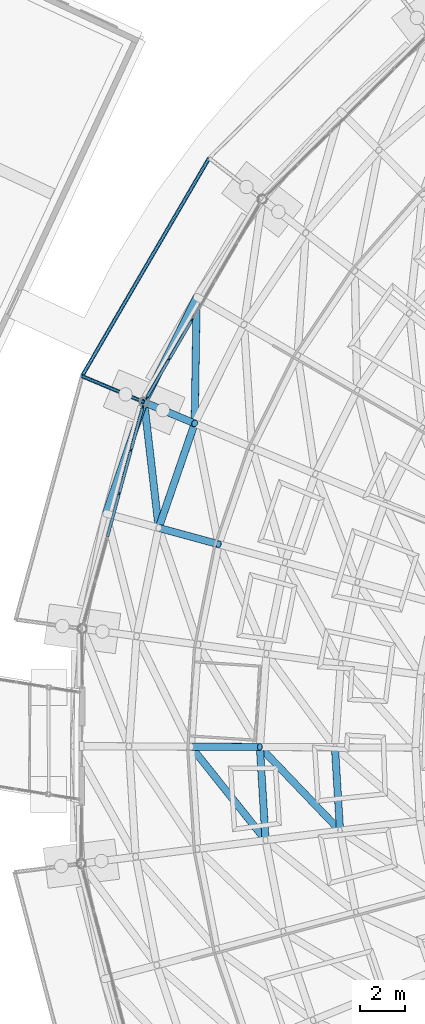
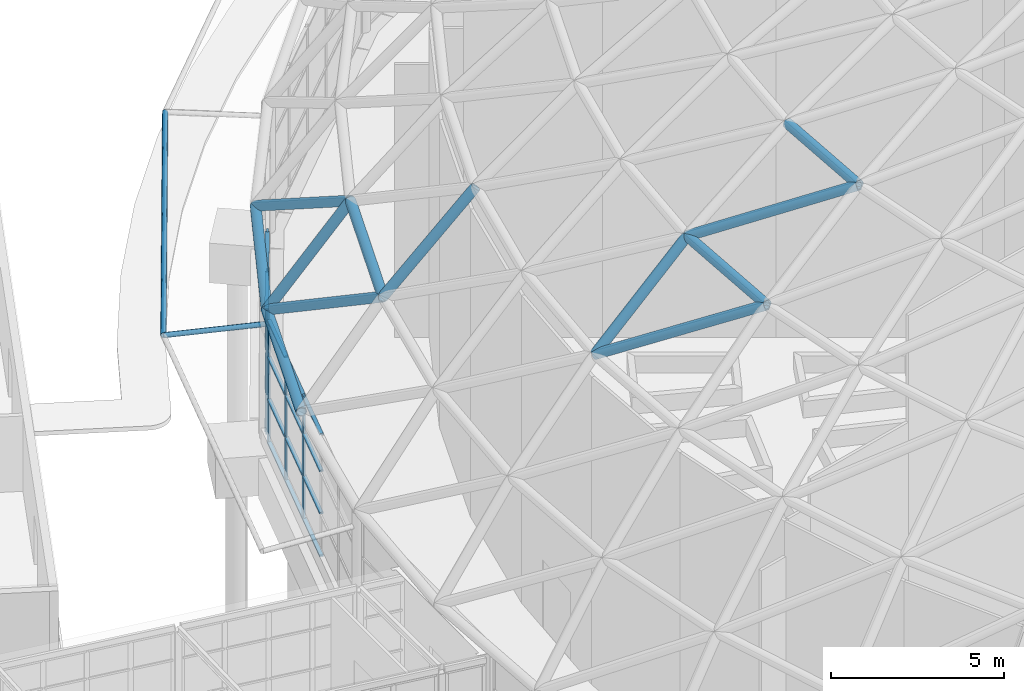
# One storey, part 83 of 226: 40 members, 2 elements without a shape of their own.
"""IFC4 building model written with IfcOpenShell, lengths in metres."""

from ifc_helpers import new_model, si_unit, direction, frame, origin, origin_2d, place, context, subcontext, project, spatial, rectangle, hollow_circle, extrude, material, material_profile, profile_set, type_object, element, aggregate, save


model = new_model("IFC4")

# Units and contexts
model_context = context("Model", 3, precision=1e-05, world=origin(), true_north=direction((0.0, 1.0)))
body_context = subcontext(model_context, "Body", "Model", "MODEL_VIEW")
ifc_project = project(units=[si_unit("LENGTHUNIT", "METRE"), si_unit("AREAUNIT", "SQUARE_METRE"), si_unit("VOLUMEUNIT", "CUBIC_METRE"), si_unit("PLANEANGLEUNIT", "RADIAN"), si_unit("MASSUNIT", "GRAM", prefix="KILO")], contexts=[model_context])

# Site, building, storey
site_placement = place(None, origin())
site = spatial("IfcSite", under=ifc_project, at=site_placement, CompositionType="ELEMENT")
building_placement = place(site_placement, origin())
building = spatial("IfcBuilding", under=site, at=building_placement, Name="Ceibo Conservatory and Research Tower", CompositionType="ELEMENT")
storey_placement = place(building_placement, origin())
storey = spatial("IfcBuildingStorey", under=building, at=storey_placement, Name="L00", CompositionType="ELEMENT", Elevation=0.0)

# Members
ifc_material_1 = material(Name="Steel ASTM A500 Gr C", Category="steel")
ifc_material_profile_1 = material_profile(ifc_material_1, hollow_circle(Radius=0.084228515625, WallThickness=0.007080078125, at=origin_2d()), Name="CHS 168.3x7.11")
ifc_profile_set_1 = profile_set([ifc_material_profile_1], Name="Steel ASTM A500 Gr C")
member_type_1 = type_object("IfcMemberType", Name="CHS 168.3x7.11", PredefinedType="NOTDEFINED", material=ifc_profile_set_1)
member_1_placement = place(storey_placement, frame((119.112060546875, 123.468505859375, 4.0), z_axis=(-0.921245374935, 0.386318215821, -0.045444419748), x_axis=(-0.386717746038, -0.922198126706, 0.0)))
element("IfcMember", 1, at=member_1_placement, inside=storey, type_object=member_type_1, Name="Brim brace bracket A-BK11", PredefinedType="BRACE", context=body_context, shape_type="SweptSolid", body=[
    extrude(hollow_circle(Radius=0.084228515625, WallThickness=0.007080078125, at=origin_2d()), origin(), (0.0, 0.0, 1.0), 3.003173828125),
])
member_2_placement = place(storey_placement, frame((122.000244140625, 134.325439453125, 3.863525390625), z_axis=(-0.503760133123, -0.863843578593, 0.0), x_axis=(0.863843578593, -0.503760133123, 0.0)))
element("IfcMember", 2, at=member_2_placement, inside=storey, type_object=member_type_1, Name="Brim tip ring A-TR14", PredefinedType="CHORD", context=body_context, shape_type="SweptSolid", body=[
    extrude(hollow_circle(Radius=0.084228515625, WallThickness=0.007080078125, at=origin_2d()), origin(), (0.0, 0.0, 1.0), 11.22509765625),
])
ifc_material_profile_2 = material_profile(ifc_material_1, hollow_circle(Radius=0.161865234375, WallThickness=0.01025390625, at=origin_2d()), Name="CHS 323.9x10.31")
ifc_profile_set_2 = profile_set([ifc_material_profile_2], Name="Steel ASTM A500 Gr C")
member_type_2 = type_object("IfcMemberType", Name="CHS 323.9x10.31", PredefinedType="NOTDEFINED", material=ifc_profile_set_2)
member_3_placement = place(storey_placement, frame((121.35791015625, 122.527099609375, 8.115966796875), z_axis=(-0.325587943876, -0.945511761324, 0.0), x_axis=(0.945511761324, -0.325587943876, 0.0)))
element("IfcMember", 3, at=member_3_placement, inside=storey, type_object=member_type_2, Name="Gridshell member A-C02-21", PredefinedType="CHORD", context=body_context, shape_type="SweptSolid", body=[
    extrude(hollow_circle(Radius=0.161865234375, WallThickness=0.01025390625, at=origin_2d()), origin(), (0.0, 0.0, 1.0), 4.913818359375),
])
member_4_placement = place(storey_placement, frame((124.257080078125, 108.138916015625, 14.591064453125), z_axis=(0.061141141216, -0.998129130349, 0.0), x_axis=(0.998129130349, 0.061141141216, 0.0)))
element("IfcMember", 4, at=member_4_placement, inside=storey, type_object=member_type_2, Name="Gridshell member A-C04-24", PredefinedType="CHORD", context=body_context, shape_type="SweptSolid", body=[
    extrude(hollow_circle(Radius=0.161865234375, WallThickness=0.01025390625, at=origin_2d()), origin(), (0.0, 0.0, 1.0), 4.15283203125),
])
ifc_material_profile_3 = material_profile(ifc_material_1, hollow_circle(Radius=0.161865234375, WallThickness=0.01416015625, at=origin_2d()), Name="CHS 323.9x14.27")
ifc_profile_set_3 = profile_set([ifc_material_profile_3], Name="Steel ASTM A500 Gr C")
member_type_3 = type_object("IfcMemberType", Name="CHS 323.9x14.27", PredefinedType="NOTDEFINED", material=ifc_profile_set_3)
member_5_placement = place(storey_placement, frame((119.112060546875, 123.468017578125, 4.5), z_axis=(0.515173818926, -0.215836492895, 0.829464010448), x_axis=(0.386415837187, 0.922324672103, 0.0)))
element("IfcMember", 5, at=member_5_placement, inside=storey, type_object=member_type_3, Name="Gridshell member A-M21-01", PredefinedType="RAFTER", context=body_context, shape_type="SweptSolid", body=[
    extrude(hollow_circle(Radius=0.161865234375, WallThickness=0.01416015625, at=origin_2d()), origin(), (0.0, 0.0, 1.0), 4.359375),
])
member_6_placement = place(storey_placement, frame((119.758056640625, 117.881103515625, 8.115966796875), z_axis=(0.610972486053, -0.166593212939, 0.77392462339), x_axis=(0.263065012858, 0.964778108691, 0.0)))
element("IfcMember", 6, at=member_6_placement, inside=storey, type_object=member_type_3, Name="Gridshell member A-M22-02", PredefinedType="RAFTER", context=body_context, shape_type="SweptSolid", body=[
    extrude(hollow_circle(Radius=0.161865234375, WallThickness=0.01416015625, at=origin_2d()), origin(), (0.0, 0.0, 1.0), 4.3583984375),
])
member_7_placement = place(storey_placement, frame((121.195068359375, 108.152099609375, 11.489013671875), z_axis=(0.702495690598, -0.003024618665, 0.711681569505), x_axis=(0.004305493501, 0.99999073132, 0.0)))
element("IfcMember", 7, at=member_7_placement, inside=storey, type_object=member_type_3, Name="Gridshell member A-M24-03", PredefinedType="RAFTER", context=body_context, shape_type="SweptSolid", body=[
    extrude(hollow_circle(Radius=0.161865234375, WallThickness=0.01416015625, at=origin_2d()), origin(), (0.0, 0.0, 1.0), 4.358642578125),
])
ifc_material_2 = material(Name="Steel S355J2H", Category="steel")
ifc_material_profile_4 = material_profile(ifc_material_2, hollow_circle(Radius=0.161865234375, WallThickness=0.025390625, at=origin_2d()), Name="CHS 323.9x25.40")
ifc_profile_set_4 = profile_set([ifc_material_profile_4], Name="Steel S355J2H")
member_type_4 = type_object("IfcMemberType", Name="CHS 323.9x25.40", PredefinedType="NOTDEFINED", material=ifc_profile_set_4)
member_8_placement = place(storey_placement, frame((121.447021484375, 128.15087890625, 4.5), z_axis=(-0.446224201059, -0.89492120457, 0.0), x_axis=(0.89492120457, -0.446224201059, 0.0)))
element("IfcMember", 8, at=member_8_placement, inside=storey, type_object=member_type_4, Name="Gridshell member A-C01-20", PredefinedType="CHORD", context=body_context, shape_type="SweptSolid", body=[
    extrude(hollow_circle(Radius=0.161865234375, WallThickness=0.025390625, at=origin_2d()), origin(), (0.0, 0.0, 1.0), 5.232666015625),
])
member_9_placement = place(storey_placement, frame((119.112060546875, 123.468017578125, 4.5), z_axis=(-0.325521830262, -0.945534525029, 0.0), x_axis=(0.945534525029, -0.325521830262, 0.0)))
element("IfcMember", 9, at=member_9_placement, inside=storey, type_object=member_type_4, Name="Gridshell member A-C01-21", PredefinedType="CHORD", context=body_context, shape_type="SweptSolid", body=[
    extrude(hollow_circle(Radius=0.161865234375, WallThickness=0.025390625, at=origin_2d()), origin(), (0.0, 0.0, 1.0), 5.23193359375),
])
ifc_material_profile_5 = material_profile(ifc_material_1, hollow_circle(Radius=0.161865234375, WallThickness=0.00830078125, at=origin_2d()), Name="CHS 323.9x8.38")
ifc_profile_set_5 = profile_set([ifc_material_profile_5], Name="Steel ASTM A500 Gr C")
member_type_5 = type_object("IfcMemberType", Name="CHS 323.9x8.38", PredefinedType="NOTDEFINED", material=ifc_profile_set_5)
member_10_placement = place(storey_placement, frame((127.594970703125, 108.1240234375, 17.39501953125), z_axis=(0.061102048285, -0.998131524247, 0.0), x_axis=(0.998131524247, 0.061102048285, 0.0)))
element("IfcMember", 10, at=member_10_placement, inside=storey, type_object=member_type_5, Name="Gridshell member A-C05-24", PredefinedType="CHORD", context=body_context, shape_type="SweptSolid", body=[
    extrude(hollow_circle(Radius=0.161865234375, WallThickness=0.00830078125, at=origin_2d()), origin(), (0.0, 0.0, 1.0), 3.7158203125),
])
member_11_placement = place(storey_placement, frame((121.447021484375, 128.15087890625, 4.5), z_axis=(-0.013326936774, -0.84105750298, 0.540781535777), x_axis=(0.999874484452, -0.015843463722, 0.0)))
element("IfcMember", 11, at=member_11_placement, inside=storey, type_object=member_type_5, Name="Gridshell diagonal member A-D01-20", PredefinedType="BRACE", context=body_context, shape_type="SweptSolid", body=[
    extrude(hollow_circle(Radius=0.161865234375, WallThickness=0.00830078125, at=origin_2d()), origin(), (0.0, 0.0, 1.0), 6.6865234375),
])
member_12_placement = place(storey_placement, frame((119.112060546875, 123.468017578125, 4.5), z_axis=(0.096615393381, -0.835580749101, 0.540805212154), x_axis=(0.993381531076, 0.114861367384, 0.0)))
element("IfcMember", 12, at=member_12_placement, inside=storey, type_object=member_type_5, Name="Gridshell diagonal member A-D01-21", PredefinedType="BRACE", context=body_context, shape_type="SweptSolid", body=[
    extrude(hollow_circle(Radius=0.161865234375, WallThickness=0.00830078125, at=origin_2d()), origin(), (0.0, 0.0, 1.0), 6.686279296875),
])
member_13_placement = place(storey_placement, frame((121.195068359375, 108.152099609375, 11.489013671875), z_axis=(0.538560407164, -0.675361570815, 0.50382480735), x_axis=(0.781844164542, 0.623473898709, 0.0)))
element("IfcMember", 13, at=member_13_placement, inside=storey, type_object=member_type_5, Name="Gridshell diagonal member A-D03-24", PredefinedType="BRACE", context=body_context, shape_type="SweptSolid", body=[
    extrude(hollow_circle(Radius=0.161865234375, WallThickness=0.00830078125, at=origin_2d()), origin(), (0.0, 0.0, 1.0), 6.156982421875),
])
member_14_placement = place(storey_placement, frame((124.257080078125, 108.138916015625, 14.591064453125), z_axis=(0.607479993378, -0.634563233735, 0.47780493932), x_axis=(0.722353812018, 0.691523658499, 0.0)))
element("IfcMember", 14, at=member_14_placement, inside=storey, type_object=member_type_5, Name="Gridshell diagonal member A-D04-24", PredefinedType="BRACE", context=body_context, shape_type="SweptSolid", body=[
    extrude(hollow_circle(Radius=0.161865234375, WallThickness=0.00830078125, at=origin_2d()), origin(), (0.0, 0.0, 1.0), 5.868408203125),
])

# Curtain wall, members
ifc_material_3 = material(Name="Aluminium and glass", Category="aluminium")
curtain_wall_type = type_object("IfcCurtainWallType", Name="Drum curtain wall", PredefinedType="NOTDEFINED", material=ifc_material_3)
curtain_wall_1_placement = place(storey_placement, origin())
curtain_wall_1 = element("IfcCurtainWall", 15, at=curtain_wall_1_placement, inside=storey, type_object=curtain_wall_type, Name="Drum curtain wall A-CW10", PredefinedType="NOTDEFINED")
ifc_material_4 = material(Name="Aluminium", Category="aluminium")
ifc_material_profile_6 = material_profile(ifc_material_4, rectangle(XDim=0.06005859375, YDim=0.159912109375, at=origin_2d()), Name="AL 60x160")
ifc_profile_set_6 = profile_set([ifc_material_profile_6], Name="Aluminium")
member_type_6 = type_object("IfcMemberType", Name="Drum mullion 60x160", PredefinedType="MULLION", material=ifc_profile_set_6)
member_15_placement = place(storey_placement, frame((121.236572265625, 127.111572265625, 0.0), z_axis=(0.0, 0.0, 1.0), x_axis=(0.863835508167, -0.503773971965, 0.0)))
member_15 = element("IfcMember", 16, at=member_15_placement, type_object=member_type_6, Name="A-CW10 mullion 4", PredefinedType="MULLION", context=body_context, shape_type="SweptSolid", body=[
    extrude(rectangle(XDim=0.06005859375, YDim=0.159912109375, at=origin_2d()), origin(), (0.0, 0.0, 1.0), 4.338134765625),
])
member_16_placement = place(storey_placement, frame((120.2255859375, 125.377685546875, 0.0), z_axis=(0.0, 0.0, 1.0), x_axis=(0.863835508167, -0.503773971965, 0.0)))
member_16 = element("IfcMember", 17, at=member_16_placement, type_object=member_type_6, Name="A-CW10 mullion 5", PredefinedType="MULLION", context=body_context, shape_type="SweptSolid", body=[
    extrude(rectangle(XDim=0.06005859375, YDim=0.159912109375, at=origin_2d()), origin(), (0.0, 0.0, 1.0), 4.338134765625),
])
member_17_placement = place(storey_placement, frame((119.2294921875, 123.669921875, 0.0), z_axis=(0.0, 0.0, 1.0), x_axis=(0.863835508167, -0.503773971965, 0.0)))
member_17 = element("IfcMember", 18, at=member_17_placement, type_object=member_type_6, Name="A-CW10 mullion 6", PredefinedType="MULLION", context=body_context, shape_type="SweptSolid", body=[
    extrude(rectangle(XDim=0.06005859375, YDim=0.159912109375, at=origin_2d()), origin(), (0.0, 0.0, 1.0), 4.338134765625),
])

curtain_wall_2_placement = place(storey_placement, origin())
curtain_wall_2 = element("IfcCurtainWall", 19, at=curtain_wall_2_placement, inside=storey, type_object=curtain_wall_type, Name="Drum curtain wall A-CW11", PredefinedType="NOTDEFINED")
member_18_placement = place(storey_placement, frame((119.050537109375, 123.243408203125, 0.0), z_axis=(0.0, 0.0, 1.0), x_axis=(0.964787322837, -0.263031218095, 0.0)))
member_18 = element("IfcMember", 20, at=member_18_placement, type_object=member_type_6, Name="A-CW11 mullion 1", PredefinedType="MULLION", context=body_context, shape_type="SweptSolid", body=[
    extrude(rectangle(XDim=0.06005859375, YDim=0.159912109375, at=origin_2d()), origin(), (0.0, 0.0, 1.0), 4.338134765625),
])
member_19_placement = place(storey_placement, frame((118.530517578125, 121.3359375, 0.0), z_axis=(0.0, 0.0, 1.0), x_axis=(0.964787322837, -0.263031218095, 0.0)))
member_19 = element("IfcMember", 21, at=member_19_placement, type_object=member_type_6, Name="A-CW11 mullion 2", PredefinedType="MULLION", context=body_context, shape_type="SweptSolid", body=[
    extrude(rectangle(XDim=0.06005859375, YDim=0.159912109375, at=origin_2d()), origin(), (0.0, 0.0, 1.0), 4.338134765625),
])
member_20_placement = place(storey_placement, frame((118.002685546875, 119.3994140625, 0.0), z_axis=(0.0, 0.0, 1.0), x_axis=(0.964787322837, -0.263031218095, 0.0)))
member_20 = element("IfcMember", 22, at=member_20_placement, type_object=member_type_6, Name="A-CW11 mullion 3", PredefinedType="MULLION", context=body_context, shape_type="SweptSolid", body=[
    extrude(rectangle(XDim=0.06005859375, YDim=0.159912109375, at=origin_2d()), origin(), (0.0, 0.0, 1.0), 4.338134765625),
])

# Member
ifc_material_profile_7 = material_profile(ifc_material_4, rectangle(XDim=0.1201171875, YDim=0.06005859375, at=origin_2d()), Name="AL 60x120")
ifc_profile_set_7 = profile_set([ifc_material_profile_7], Name="Aluminium")
member_type_7 = type_object("IfcMemberType", Name="Drum transom 60x120", PredefinedType="USERDEFINED", material=ifc_profile_set_7)
member_21_placement = place(storey_placement, frame((121.221435546875, 127.085693359375, 0.030029296875), z_axis=(-0.503816450694, -0.863810733905, 0.0), x_axis=(0.863810733905, -0.503816450694, 0.0)))
member_21 = element("IfcMember", 23, at=member_21_placement, type_object=member_type_7, Name="A-CW10 transom 4.1", ObjectType="TRANSOM", PredefinedType="USERDEFINED", context=body_context, shape_type="SweptSolid", body=[
    extrude(rectangle(XDim=0.1201171875, YDim=0.06005859375, at=origin_2d()), origin(), (0.0, 0.0, 1.0), 1.947021484375),
])

member_22_placement = place(storey_placement, frame((121.221435546875, 127.085693359375, 1.530029296875), z_axis=(-0.503816450694, -0.863810733905, 0.0), x_axis=(0.863810733905, -0.503816450694, 0.0)))
member_22 = element("IfcMember", 24, at=member_22_placement, type_object=member_type_7, Name="A-CW10 transom 4.2", ObjectType="TRANSOM", PredefinedType="USERDEFINED", context=body_context, shape_type="SweptSolid", body=[
    extrude(rectangle(XDim=0.1201171875, YDim=0.06005859375, at=origin_2d()), origin(), (0.0, 0.0, 1.0), 1.947021484375),
])

member_23_placement = place(storey_placement, frame((121.221435546875, 127.085693359375, 3.014892578125), z_axis=(-0.503816450694, -0.863810733905, 0.0), x_axis=(0.863810733905, -0.503816450694, 0.0)))
member_23 = element("IfcMember", 25, at=member_23_placement, type_object=member_type_7, Name="A-CW10 transom 4.3", ObjectType="TRANSOM", PredefinedType="USERDEFINED", context=body_context, shape_type="SweptSolid", body=[
    extrude(rectangle(XDim=0.1201171875, YDim=0.06005859375, at=origin_2d()), origin(), (0.0, 0.0, 1.0), 1.947021484375),
])

member_24_placement = place(storey_placement, frame((121.221435546875, 127.085693359375, 4.30810546875), z_axis=(-0.503816450694, -0.863810733905, 0.0), x_axis=(0.863810733905, -0.503816450694, 0.0)))
member_24 = element("IfcMember", 26, at=member_24_placement, type_object=member_type_7, Name="A-CW10 transom 4.4", ObjectType="TRANSOM", PredefinedType="USERDEFINED", context=body_context, shape_type="SweptSolid", body=[
    extrude(rectangle(XDim=0.1201171875, YDim=0.06005859375, at=origin_2d()), origin(), (0.0, 0.0, 1.0), 1.947021484375),
])

member_25_placement = place(storey_placement, frame((120.21044921875, 125.351806640625, 0.030029296875), z_axis=(-0.50379976015, -0.863820468427, 0.0), x_axis=(0.863820468427, -0.50379976015, 0.0)))
member_25 = element("IfcMember", 27, at=member_25_placement, type_object=member_type_7, Name="A-CW10 transom 5.1", ObjectType="TRANSOM", PredefinedType="USERDEFINED", context=body_context, shape_type="SweptSolid", body=[
    extrude(rectangle(XDim=0.1201171875, YDim=0.06005859375, at=origin_2d()), origin(), (0.0, 0.0, 1.0), 1.9169921875),
])

member_26_placement = place(storey_placement, frame((120.21044921875, 125.351806640625, 1.530029296875), z_axis=(-0.50379976015, -0.863820468427, 0.0), x_axis=(0.863820468427, -0.50379976015, 0.0)))
member_26 = element("IfcMember", 28, at=member_26_placement, type_object=member_type_7, Name="A-CW10 transom 5.2", ObjectType="TRANSOM", PredefinedType="USERDEFINED", context=body_context, shape_type="SweptSolid", body=[
    extrude(rectangle(XDim=0.1201171875, YDim=0.06005859375, at=origin_2d()), origin(), (0.0, 0.0, 1.0), 1.9169921875),
])

member_27_placement = place(storey_placement, frame((120.21044921875, 125.351806640625, 3.014892578125), z_axis=(-0.50379976015, -0.863820468427, 0.0), x_axis=(0.863820468427, -0.50379976015, 0.0)))
member_27 = element("IfcMember", 29, at=member_27_placement, type_object=member_type_7, Name="A-CW10 transom 5.3", ObjectType="TRANSOM", PredefinedType="USERDEFINED", context=body_context, shape_type="SweptSolid", body=[
    extrude(rectangle(XDim=0.1201171875, YDim=0.06005859375, at=origin_2d()), origin(), (0.0, 0.0, 1.0), 1.9169921875),
])

member_28_placement = place(storey_placement, frame((120.21044921875, 125.351806640625, 4.30810546875), z_axis=(-0.50379976015, -0.863820468427, 0.0), x_axis=(0.863820468427, -0.50379976015, 0.0)))
member_28 = element("IfcMember", 30, at=member_28_placement, type_object=member_type_7, Name="A-CW10 transom 5.4", ObjectType="TRANSOM", PredefinedType="USERDEFINED", context=body_context, shape_type="SweptSolid", body=[
    extrude(rectangle(XDim=0.1201171875, YDim=0.06005859375, at=origin_2d()), origin(), (0.0, 0.0, 1.0), 1.9169921875),
])

aggregate(curtain_wall_1, [member_15, member_16, member_17, member_21, member_22, member_23, member_24, member_25, member_26, member_27, member_28])

member_29_placement = place(storey_placement, frame((119.042724609375, 123.214599609375, 0.030029296875), z_axis=(-0.262977318248, -0.964802016005, 0.0), x_axis=(0.964802016005, -0.262977318248, 0.0)))
member_29 = element("IfcMember", 31, at=member_29_placement, type_object=member_type_7, Name="A-CW11 transom 1.1", ObjectType="TRANSOM", PredefinedType="USERDEFINED", context=body_context, shape_type="SweptSolid", body=[
    extrude(rectangle(XDim=0.1201171875, YDim=0.06005859375, at=origin_2d()), origin(), (0.0, 0.0, 1.0), 1.9169921875),
])

member_30_placement = place(storey_placement, frame((119.042724609375, 123.214599609375, 1.530029296875), z_axis=(-0.262977318248, -0.964802016005, 0.0), x_axis=(0.964802016005, -0.262977318248, 0.0)))
member_30 = element("IfcMember", 32, at=member_30_placement, type_object=member_type_7, Name="A-CW11 transom 1.2", ObjectType="TRANSOM", PredefinedType="USERDEFINED", context=body_context, shape_type="SweptSolid", body=[
    extrude(rectangle(XDim=0.1201171875, YDim=0.06005859375, at=origin_2d()), origin(), (0.0, 0.0, 1.0), 1.9169921875),
])

member_31_placement = place(storey_placement, frame((119.042724609375, 123.214599609375, 3.014892578125), z_axis=(-0.262977318248, -0.964802016005, 0.0), x_axis=(0.964802016005, -0.262977318248, 0.0)))
member_31 = element("IfcMember", 33, at=member_31_placement, type_object=member_type_7, Name="A-CW11 transom 1.3", ObjectType="TRANSOM", PredefinedType="USERDEFINED", context=body_context, shape_type="SweptSolid", body=[
    extrude(rectangle(XDim=0.1201171875, YDim=0.06005859375, at=origin_2d()), origin(), (0.0, 0.0, 1.0), 1.9169921875),
])

member_32_placement = place(storey_placement, frame((119.042724609375, 123.214599609375, 4.30810546875), z_axis=(-0.262977318248, -0.964802016005, 0.0), x_axis=(0.964802016005, -0.262977318248, 0.0)))
member_32 = element("IfcMember", 34, at=member_32_placement, type_object=member_type_7, Name="A-CW11 transom 1.4", ObjectType="TRANSOM", PredefinedType="USERDEFINED", context=body_context, shape_type="SweptSolid", body=[
    extrude(rectangle(XDim=0.1201171875, YDim=0.06005859375, at=origin_2d()), origin(), (0.0, 0.0, 1.0), 1.9169921875),
])

member_33_placement = place(storey_placement, frame((118.522705078125, 121.306884765625, 0.030029296875), z_axis=(-0.263074964757, -0.964775395063, 0.0), x_axis=(0.964775395063, -0.263074964757, 0.0)))
member_33 = element("IfcMember", 35, at=member_33_placement, type_object=member_type_7, Name="A-CW11 transom 2.1", ObjectType="TRANSOM", PredefinedType="USERDEFINED", context=body_context, shape_type="SweptSolid", body=[
    extrude(rectangle(XDim=0.1201171875, YDim=0.06005859375, at=origin_2d()), origin(), (0.0, 0.0, 1.0), 1.947021484375),
])

member_34_placement = place(storey_placement, frame((118.522705078125, 121.306884765625, 1.530029296875), z_axis=(-0.263074964757, -0.964775395063, 0.0), x_axis=(0.964775395063, -0.263074964757, 0.0)))
member_34 = element("IfcMember", 36, at=member_34_placement, type_object=member_type_7, Name="A-CW11 transom 2.2", ObjectType="TRANSOM", PredefinedType="USERDEFINED", context=body_context, shape_type="SweptSolid", body=[
    extrude(rectangle(XDim=0.1201171875, YDim=0.06005859375, at=origin_2d()), origin(), (0.0, 0.0, 1.0), 1.947021484375),
])

member_35_placement = place(storey_placement, frame((118.522705078125, 121.306884765625, 3.014892578125), z_axis=(-0.263074964757, -0.964775395063, 0.0), x_axis=(0.964775395063, -0.263074964757, 0.0)))
member_35 = element("IfcMember", 37, at=member_35_placement, type_object=member_type_7, Name="A-CW11 transom 2.3", ObjectType="TRANSOM", PredefinedType="USERDEFINED", context=body_context, shape_type="SweptSolid", body=[
    extrude(rectangle(XDim=0.1201171875, YDim=0.06005859375, at=origin_2d()), origin(), (0.0, 0.0, 1.0), 1.947021484375),
])

member_36_placement = place(storey_placement, frame((118.522705078125, 121.306884765625, 4.30810546875), z_axis=(-0.263074964757, -0.964775395063, 0.0), x_axis=(0.964775395063, -0.263074964757, 0.0)))
member_36 = element("IfcMember", 38, at=member_36_placement, type_object=member_type_7, Name="A-CW11 transom 2.4", ObjectType="TRANSOM", PredefinedType="USERDEFINED", context=body_context, shape_type="SweptSolid", body=[
    extrude(rectangle(XDim=0.1201171875, YDim=0.06005859375, at=origin_2d()), origin(), (0.0, 0.0, 1.0), 1.947021484375),
])

member_37_placement = place(storey_placement, frame((117.99462890625, 119.37060546875, 0.030029296875), z_axis=(-0.262926433931, -0.964815884167, 0.0), x_axis=(0.964815884167, -0.262926433931, 0.0)))
member_37 = element("IfcMember", 39, at=member_37_placement, type_object=member_type_7, Name="A-CW11 transom 3.1", ObjectType="TRANSOM", PredefinedType="USERDEFINED", context=body_context, shape_type="SweptSolid", body=[
    extrude(rectangle(XDim=0.1201171875, YDim=0.06005859375, at=origin_2d()), origin(), (0.0, 0.0, 1.0), 1.947265625),
])

member_38_placement = place(storey_placement, frame((117.99462890625, 119.37060546875, 1.530029296875), z_axis=(-0.262926433931, -0.964815884167, 0.0), x_axis=(0.964815884167, -0.262926433931, 0.0)))
member_38 = element("IfcMember", 40, at=member_38_placement, type_object=member_type_7, Name="A-CW11 transom 3.2", ObjectType="TRANSOM", PredefinedType="USERDEFINED", context=body_context, shape_type="SweptSolid", body=[
    extrude(rectangle(XDim=0.1201171875, YDim=0.06005859375, at=origin_2d()), origin(), (0.0, 0.0, 1.0), 1.947265625),
])

member_39_placement = place(storey_placement, frame((117.99462890625, 119.37060546875, 3.014892578125), z_axis=(-0.262926433931, -0.964815884167, 0.0), x_axis=(0.964815884167, -0.262926433931, 0.0)))
member_39 = element("IfcMember", 41, at=member_39_placement, type_object=member_type_7, Name="A-CW11 transom 3.3", ObjectType="TRANSOM", PredefinedType="USERDEFINED", context=body_context, shape_type="SweptSolid", body=[
    extrude(rectangle(XDim=0.1201171875, YDim=0.06005859375, at=origin_2d()), origin(), (0.0, 0.0, 1.0), 1.947265625),
])

member_40_placement = place(storey_placement, frame((117.99462890625, 119.37060546875, 4.30810546875), z_axis=(-0.262926433931, -0.964815884167, 0.0), x_axis=(0.964815884167, -0.262926433931, 0.0)))
member_40 = element("IfcMember", 42, at=member_40_placement, type_object=member_type_7, Name="A-CW11 transom 3.4", ObjectType="TRANSOM", PredefinedType="USERDEFINED", context=body_context, shape_type="SweptSolid", body=[
    extrude(rectangle(XDim=0.1201171875, YDim=0.06005859375, at=origin_2d()), origin(), (0.0, 0.0, 1.0), 1.947265625),
])

aggregate(curtain_wall_2, [member_18, member_19, member_20, member_29, member_30, member_31, member_32, member_33, member_34, member_35, member_36, member_37, member_38, member_39, member_40])

save(model, "model.ifc")
